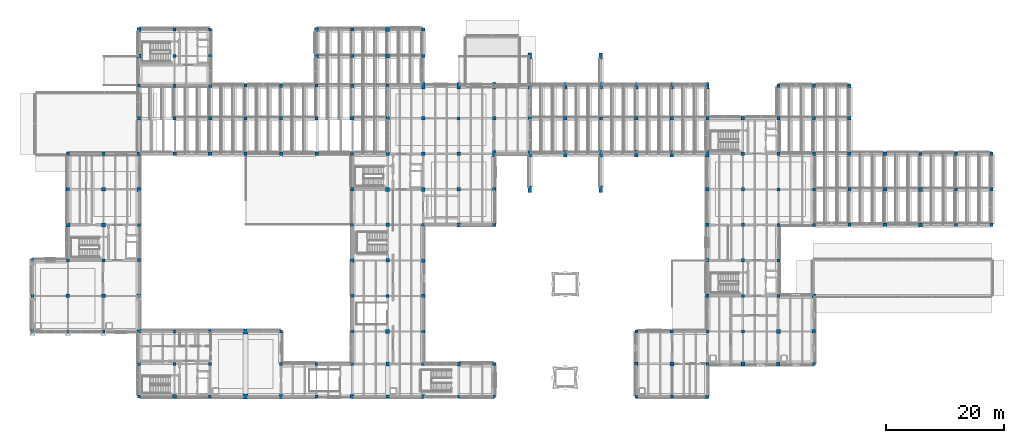
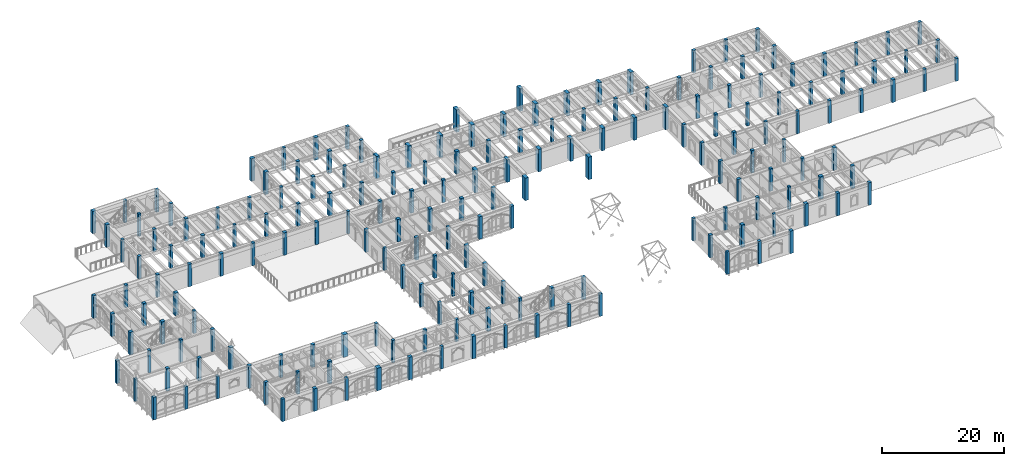
# One storey, part 1 of 127: 188 columns.
"""IFC4 building model written with IfcOpenShell, lengths in metres."""

from ifc_helpers import new_model, si_unit, direction, frame, origin, origin_2d, place, context, subcontext, project, spatial, rectangle, extrude, material, material_profile, profile_set, type_object, element, save


model = new_model("IFC4")

# Units and contexts
model_context = context("Model", 3, precision=1e-05, world=origin(), true_north=direction((0.0, 1.0)))
body_context = subcontext(model_context, "Body", "Model", "MODEL_VIEW")
ifc_project = project(units=[si_unit("LENGTHUNIT", "METRE"), si_unit("AREAUNIT", "SQUARE_METRE"), si_unit("VOLUMEUNIT", "CUBIC_METRE"), si_unit("PLANEANGLEUNIT", "RADIAN"), si_unit("MASSUNIT", "GRAM", prefix="KILO")], contexts=[model_context])

# Site, building, storey
site_placement = place(None, origin())
site = spatial("IfcSite", under=ifc_project, at=site_placement, CompositionType="ELEMENT")
building_placement = place(site_placement, origin())
building = spatial("IfcBuilding", under=site, at=building_placement, Name="Cumevento Cable Car Station", CompositionType="ELEMENT")
storey_placement = place(building_placement, frame((0.0, 0.0, 4.5)))
storey = spatial("IfcBuildingStorey", under=building, at=storey_placement, Name="L02", CompositionType="ELEMENT", Elevation=4.5)

# Columns
ifc_material_1 = material(Name="Concrete C40/50", Category="concrete")
ifc_material_profile_1 = material_profile(ifc_material_1, rectangle(XDim=0.60009765625, YDim=1.050048828125, at=origin_2d()), Name="RC600x1050")
ifc_profile_set_1 = profile_set([ifc_material_profile_1], Name="Concrete C40/50")
column_type_1 = type_object("IfcColumnType", Name="Buttress Pilaster P-BT1050 RC600x1050", PredefinedType="PILASTER", material=ifc_profile_set_1)
for number, where, z_axis, x_axis, name in (
    (1, (70.0, 56.5, 0.0), (0.0, 0.0, 1.0), (1.0, 0.0, 0.0), "Column P-BT1050 L02 (70.0,56.5)"),
    (2, (76.0, 56.5, 0.0), (0.0, 0.0, 1.0), (1.0, 0.0, 0.0), "Column P-BT1050 L02 (76.0,56.5)"),
    (3, (82.0, 45.0, 0.0), (0.0, 0.0, 1.0), (1.0, 0.0, 0.0), "Column P-BT1050 L02 (82.0,45.0)"),
    (4, (82.0, 56.5, 0.0), (0.0, 0.0, 1.0), (1.0, 0.0, 0.0), "Column P-BT1050 L02 (82.0,56.5)"),
    (5, (88.0, 45.0, 0.0), (0.0, 0.0, 1.0), (1.0, 0.0, 0.0), "Column P-BT1050 L02 (88.0,45.0)"),
    (6, (88.0, 56.5, 0.0), (0.0, 0.0, 1.0), (1.0, 0.0, 0.0), "Column P-BT1050 L02 (88.0,56.5)"),
    (7, (94.0, 45.0, 0.0), (0.0, 0.0, 1.0), (1.0, 0.0, 0.0), "Column P-BT1050 L02 (94.0,45.0)"),
    (8, (94.0, 56.5, 0.0), (0.0, 0.0, 1.0), (1.0, 0.0, 0.0), "Column P-BT1050 L02 (94.0,56.5)"),
    (9, (100.0, 45.0, 0.0), (0.0, 0.0, 1.0), (1.0, 0.0, 0.0), "Column P-BT1050 L02 (100.0,45.0)"),
    (10, (100.0, 56.5, 0.0), (0.0, 0.0, 1.0), (1.0, 0.0, 0.0), "Column P-BT1050 L02 (100.0,56.5)"),
    (11, (106.0, 45.0, 0.0), (0.0, 0.0, 1.0), (1.0, 0.0, 0.0), "Column P-BT1050 L02 (106.0,45.0)"),
    (12, (106.0, 56.5, 0.0), (0.0, 0.0, 1.0), (1.0, 0.0, 0.0), "Column P-BT1050 L02 (106.0,56.5)"),
    (13, (112.0, 45.0, 0.0), (0.0, 0.0, 1.0), (1.0, 0.0, 0.0), "Column P-BT1050 L02 (112.0,45.0)"),
    (14, (112.0, 56.5, 0.0), (0.0, 0.0, 1.0), (1.0, 0.0, 0.0), "Column P-BT1050 L02 (112.0,56.5)"),
    (15, (118.0, 45.0, 0.0), (0.0, 0.0, 1.0), (1.0, 0.0, 0.0), "Column P-BT1050 L02 (118.0,45.0)"),
    (16, (118.0, 56.5, 0.0), (0.0, 0.0, 1.0), (1.0, 0.0, 0.0), "Column P-BT1050 L02 (118.0,56.5)"),
    (17, (88.0, 61.5, 0.0), (0.0, 0.0, 1.0), (1.0, 0.0, 0.0), "Portal/Terrace Column P-BT1050 L02 (88.0,61.5)"),
    (18, (100.0, 61.5, 0.0), (0.0, 0.0, 1.0), (1.0, 0.0, 0.0), "Portal/Terrace Column P-BT1050 L02 (100.0,61.5)"),
    (19, (88.0, 39.0, 0.0), (0.0, 0.0, 1.0), (1.0, 0.0, 0.0), "Portal/Terrace Column P-BT1050 L02 (88.0,39.0)"),
    (20, (100.0, 39.0, 0.0), (0.0, 0.0, 1.0), (1.0, 0.0, 0.0), "Portal/Terrace Column P-BT1050 L02 (100.0,39.0)"),
):
    element("IfcColumn", number, at=place(storey_placement, frame(where, z_axis=z_axis, x_axis=x_axis)), inside=storey, type_object=column_type_1, Name=name, PredefinedType="PILASTER", context=body_context, shape_type="SweptSolid", body=[
        extrude(rectangle(XDim=0.60009765625, YDim=1.050048828125, at=origin_2d()), origin(), (0.0, 0.0, 1.0), 4.5),
    ])
ifc_material_2 = material(Name="Concrete C40/50", Category="concrete")
ifc_material_profile_2 = material_profile(ifc_material_2, rectangle(XDim=0.5, YDim=0.5, at=origin_2d()), Name="RC500x500")
ifc_profile_set_2 = profile_set([ifc_material_profile_2], Name="Concrete C40/50")
column_type_2 = type_object("IfcColumnType", Name="Column C-RC500 RC500x500", PredefinedType="COLUMN", material=ifc_profile_set_2)
for number, where, z_axis, x_axis, name in (
    (21, (4.0, 21.0, 0.0), (0.0, 0.0, 1.0), (1.0, 0.0, 0.0), "Column C-RC500 L02 (4.0,21.0)"),
    (22, (10.0, 15.0, 0.0), (0.0, 0.0, 1.0), (1.0, 0.0, 0.0), "Column C-RC500 L02 (10.0,15.0)"),
    (23, (10.0, 27.0, 0.0), (0.0, 0.0, 1.0), (1.0, 0.0, 0.0), "Column C-RC500 L02 (10.0,27.0)"),
    (24, (16.0, 15.0, 0.0), (0.0, 0.0, 1.0), (1.0, 0.0, 0.0), "Column C-RC500 L02 (16.0,15.0)"),
    (25, (16.0, 27.0, 0.0), (0.0, 0.0, 1.0), (1.0, 0.0, 0.0), "Column C-RC500 L02 (16.0,27.0)"),
    (26, (22.0, 4.0, 0.0), (0.0, 0.0, 1.0), (1.0, 0.0, 0.0), "Column C-RC500 L02 (22.0,4.0)"),
    (27, (22.0, 33.0, 0.0), (0.0, 0.0, 1.0), (1.0, 0.0, 0.0), "Column C-RC500 L02 (22.0,33.0)"),
    (28, (22.0, 56.5, 0.0), (0.0, 0.0, 1.0), (1.0, 0.0, 0.0), "Column C-RC500 L02 (22.0,56.5)"),
    (29, (28.0, 9.5, 0.0), (0.0, 0.0, 1.0), (1.0, 0.0, 0.0), "Column C-RC500 L02 (28.0,9.5)"),
    (30, (28.0, 61.5, 0.0), (0.0, 0.0, 1.0), (1.0, 0.0, 0.0), "Column C-RC500 L02 (28.0,61.5)"),
    (31, (28.0, 66.0, 0.0), (0.0, 0.0, 1.0), (1.0, 0.0, 0.0), "Column C-RC500 L02 (28.0,66.0)"),
    (32, (34.0, 4.0, 0.0), (0.0, 0.0, 1.0), (1.0, 0.0, 0.0), "Column C-RC500 L02 (34.0,4.0)"),
    (33, (40.0, 51.0, 0.0), (0.0, 0.0, 1.0), (1.0, 0.0, 0.0), "Column C-RC500 L02 (40.0,51.0)"),
    (34, (40.0, 56.5, 0.0), (0.0, 0.0, 1.0), (1.0, 0.0, 0.0), "Column C-RC500 L02 (40.0,56.5)"),
    (35, (46.0, 9.5, 0.0), (0.0, 0.0, 1.0), (1.0, 0.0, 0.0), "Column C-RC500 L02 (46.0,9.5)"),
    (36, (52.0, 4.0, 0.0), (0.0, 0.0, 1.0), (1.0, 0.0, 0.0), "Column C-RC500 L02 (52.0,4.0)"),
    (37, (52.0, 56.5, 0.0), (0.0, 0.0, 1.0), (1.0, 0.0, 0.0), "Column C-RC500 L02 (52.0,56.5)"),
    (38, (58.0, 9.5, 0.0), (0.0, 0.0, 1.0), (1.0, 0.0, 0.0), "Column C-RC500 L02 (58.0,9.5)"),
    (39, (58.0, 33.0, 0.0), (0.0, 0.0, 1.0), (1.0, 0.0, 0.0), "Column C-RC500 L02 (58.0,33.0)"),
    (40, (58.0, 45.0, 0.0), (0.0, 0.0, 1.0), (1.0, 0.0, 0.0), "Column C-RC500 L02 (58.0,45.0)"),
    (41, (64.0, 21.0, 0.0), (0.0, 0.0, 1.0), (1.0, 0.0, 0.0), "Column C-RC500 L02 (64.0,21.0)"),
    (42, (64.0, 56.5, 0.0), (0.0, 0.0, 1.0), (1.0, 0.0, 0.0), "Column C-RC500 L02 (64.0,56.5)"),
    (43, (70.0, 9.5, 0.0), (0.0, 0.0, 1.0), (1.0, 0.0, 0.0), "Column C-RC500 L02 (70.0,9.5)"),
    (44, (70.0, 33.0, 0.0), (0.0, 0.0, 1.0), (1.0, 0.0, 0.0), "Column C-RC500 L02 (70.0,33.0)"),
    (45, (76.0, 51.0, 0.0), (0.0, 0.0, 1.0), (1.0, 0.0, 0.0), "Column C-RC500 L02 (76.0,51.0)"),
    (46, (82.0, 4.0, 0.0), (0.0, 0.0, 1.0), (1.0, 0.0, 0.0), "Column C-RC500 L02 (82.0,4.0)"),
    (47, (100.0, 51.0, 0.0), (0.0, 0.0, 1.0), (1.0, 0.0, 0.0), "Column C-RC500 L02 (100.0,51.0)"),
    (48, (106.0, 4.0, 0.0), (0.0, 0.0, 1.0), (1.0, 0.0, 0.0), "Column C-RC500 L02 (106.0,4.0)"),
    (49, (106.0, 15.0, 0.0), (0.0, 0.0, 1.0), (1.0, 0.0, 0.0), "Column C-RC500 L02 (106.0,15.0)"),
    (50, (118.0, 9.5, 0.0), (0.0, 0.0, 1.0), (1.0, 0.0, 0.0), "Column C-RC500 L02 (118.0,9.5)"),
    (51, (124.0, 15.0, 0.0), (0.0, 0.0, 1.0), (1.0, 0.0, 0.0), "Column C-RC500 L02 (124.0,15.0)"),
    (52, (130.0, 21.0, 0.0), (0.0, 0.0, 1.0), (1.0, 0.0, 0.0), "Column C-RC500 L02 (130.0,21.0)"),
    (53, (130.0, 27.0, 0.0), (0.0, 0.0, 1.0), (1.0, 0.0, 0.0), "Column C-RC500 L02 (130.0,27.0)"),
    (54, (130.0, 33.0, 0.0), (0.0, 0.0, 1.0), (1.0, 0.0, 0.0), "Column C-RC500 L02 (130.0,33.0)"),
    (55, (130.0, 39.0, 0.0), (0.0, 0.0, 1.0), (1.0, 0.0, 0.0), "Column C-RC500 L02 (130.0,39.0)"),
    (56, (136.0, 33.0, 0.0), (0.0, 0.0, 1.0), (1.0, 0.0, 0.0), "Column C-RC500 L02 (136.0,33.0)"),
    (57, (136.0, 39.0, 0.0), (0.0, 0.0, 1.0), (1.0, 0.0, 0.0), "Column C-RC500 L02 (136.0,39.0)"),
    (58, (154.0, 45.0, 0.0), (0.0, 0.0, 1.0), (1.0, 0.0, 0.0), "Column C-RC500 L02 (154.0,45.0)"),
    (59, (160.0, 33.0, 0.0), (0.0, 0.0, 1.0), (1.0, 0.0, 0.0), "Column C-RC500 L02 (160.0,33.0)"),
    (60, (160.0, 39.0, 0.0), (0.0, 0.0, 1.0), (1.0, 0.0, 0.0), "Column C-RC500 L02 (160.0,39.0)"),
):
    element("IfcColumn", number, at=place(storey_placement, frame(where, z_axis=z_axis, x_axis=x_axis)), inside=storey, type_object=column_type_2, Name=name, PredefinedType="COLUMN", context=body_context, shape_type="SweptSolid", body=[
        extrude(rectangle(XDim=0.5, YDim=0.5, at=origin_2d()), origin(), (0.0, 0.0, 1.0), 4.5),
    ])
ifc_material_3 = material(Name="Concrete C40/50", Category="concrete")
ifc_material_profile_3 = material_profile(ifc_material_3, rectangle(XDim=0.550048828125, YDim=0.550048828125, at=origin_2d()), Name="RC550x550")
ifc_profile_set_3 = profile_set([ifc_material_profile_3], Name="Concrete C40/50")
column_type_3 = type_object("IfcColumnType", Name="Column C-RC550 RC550x550", PredefinedType="COLUMN", material=ifc_profile_set_3)
for number, where, z_axis, x_axis, name in (
    (61, (10.0, 45.0, 0.0), (0.0, 0.0, 1.0), (1.0, 0.0, 0.0), "Column C-RC550 L02 (10.0,45.0)"),
    (62, (16.0, 45.0, 0.0), (0.0, 0.0, 1.0), (1.0, 0.0, 0.0), "Column C-RC550 L02 (16.0,45.0)"),
    (63, (22.0, 9.5, 0.0), (0.0, 0.0, 1.0), (1.0, 0.0, 0.0), "Column C-RC550 L02 (22.0,9.5)"),
    (64, (22.0, 27.0, 0.0), (0.0, 0.0, 1.0), (1.0, 0.0, 0.0), "Column C-RC550 L02 (22.0,27.0)"),
    (65, (22.0, 51.0, 0.0), (0.0, 0.0, 1.0), (1.0, 0.0, 0.0), "Column C-RC550 L02 (22.0,51.0)"),
    (66, (28.0, 15.0, 0.0), (0.0, 0.0, 1.0), (1.0, 0.0, 0.0), "Column C-RC550 L02 (28.0,15.0)"),
    (67, (28.0, 51.0, 0.0), (0.0, 0.0, 1.0), (1.0, 0.0, 0.0), "Column C-RC550 L02 (28.0,51.0)"),
    (68, (28.0, 56.5, 0.0), (0.0, 0.0, 1.0), (1.0, 0.0, 0.0), "Column C-RC550 L02 (28.0,56.5)"),
    (69, (34.0, 9.5, 0.0), (0.0, 0.0, 1.0), (1.0, 0.0, 0.0), "Column C-RC550 L02 (34.0,9.5)"),
    (70, (34.0, 61.5, 0.0), (0.0, 0.0, 1.0), (1.0, 0.0, 0.0), "Column C-RC550 L02 (34.0,61.5)"),
    (71, (34.0, 66.0, 0.0), (0.0, 0.0, 1.0), (1.0, 0.0, 0.0), "Column C-RC550 L02 (34.0,66.0)"),
    (72, (40.0, 45.0, 0.0), (0.0, 0.0, 1.0), (1.0, 0.0, 0.0), "Column C-RC550 L02 (40.0,45.0)"),
    (73, (46.0, 15.0, 0.0), (0.0, 0.0, 1.0), (1.0, 0.0, 0.0), "Column C-RC550 L02 (46.0,15.0)"),
    (74, (46.0, 51.0, 0.0), (0.0, 0.0, 1.0), (1.0, 0.0, 0.0), "Column C-RC550 L02 (46.0,51.0)"),
    (75, (46.0, 56.5, 0.0), (0.0, 0.0, 1.0), (1.0, 0.0, 0.0), "Column C-RC550 L02 (46.0,56.5)"),
    (76, (52.0, 9.5, 0.0), (0.0, 0.0, 1.0), (1.0, 0.0, 0.0), "Column C-RC550 L02 (52.0,9.5)"),
    (77, (52.0, 51.0, 0.0), (0.0, 0.0, 1.0), (1.0, 0.0, 0.0), "Column C-RC550 L02 (52.0,51.0)"),
    (78, (58.0, 15.0, 0.0), (0.0, 0.0, 1.0), (1.0, 0.0, 0.0), "Column C-RC550 L02 (58.0,15.0)"),
    (79, (58.0, 39.0, 0.0), (0.0, 0.0, 1.0), (1.0, 0.0, 0.0), "Column C-RC550 L02 (58.0,39.0)"),
    (80, (58.0, 61.5, 0.0), (0.0, 0.0, 1.0), (1.0, 0.0, 0.0), "Column C-RC550 L02 (58.0,61.5)"),
    (81, (58.0, 66.0, 0.0), (0.0, 0.0, 1.0), (1.0, 0.0, 0.0), "Column C-RC550 L02 (58.0,66.0)"),
    (82, (64.0, 4.0, 0.0), (0.0, 0.0, 1.0), (1.0, 0.0, 0.0), "Column C-RC550 L02 (64.0,4.0)"),
    (83, (64.0, 27.0, 0.0), (0.0, 0.0, 1.0), (1.0, 0.0, 0.0), "Column C-RC550 L02 (64.0,27.0)"),
    (84, (64.0, 51.0, 0.0), (0.0, 0.0, 1.0), (1.0, 0.0, 0.0), "Column C-RC550 L02 (64.0,51.0)"),
    (85, (70.0, 15.0, 0.0), (0.0, 0.0, 1.0), (1.0, 0.0, 0.0), "Column C-RC550 L02 (70.0,15.0)"),
    (86, (70.0, 51.0, 0.0), (0.0, 0.0, 1.0), (1.0, 0.0, 0.0), "Column C-RC550 L02 (70.0,51.0)"),
    (87, (70.0, 61.5, 0.0), (0.0, 0.0, 1.0), (1.0, 0.0, 0.0), "Column C-RC550 L02 (70.0,61.5)"),
    (88, (70.0, 66.0, 0.0), (0.0, 0.0, 1.0), (1.0, 0.0, 0.0), "Column C-RC550 L02 (70.0,66.0)"),
    (89, (76.0, 4.0, 0.0), (0.0, 0.0, 1.0), (1.0, 0.0, 0.0), "Column C-RC550 L02 (76.0,4.0)"),
    (90, (76.0, 45.0, 0.0), (0.0, 0.0, 1.0), (1.0, 0.0, 0.0), "Column C-RC550 L02 (76.0,45.0)"),
    (91, (82.0, 9.5, 0.0), (0.0, 0.0, 1.0), (1.0, 0.0, 0.0), "Column C-RC550 L02 (82.0,9.5)"),
    (92, (82.0, 39.0, 0.0), (0.0, 0.0, 1.0), (1.0, 0.0, 0.0), "Column C-RC550 L02 (82.0,39.0)"),
    (93, (106.0, 51.0, 0.0), (0.0, 0.0, 1.0), (1.0, 0.0, 0.0), "Column C-RC550 L02 (106.0,51.0)"),
    (94, (112.0, 4.0, 0.0), (0.0, 0.0, 1.0), (1.0, 0.0, 0.0), "Column C-RC550 L02 (112.0,4.0)"),
    (95, (112.0, 15.0, 0.0), (0.0, 0.0, 1.0), (1.0, 0.0, 0.0), "Column C-RC550 L02 (112.0,15.0)"),
    (96, (118.0, 15.0, 0.0), (0.0, 0.0, 1.0), (1.0, 0.0, 0.0), "Column C-RC550 L02 (118.0,15.0)"),
    (97, (118.0, 51.0, 0.0), (0.0, 0.0, 1.0), (1.0, 0.0, 0.0), "Column C-RC550 L02 (118.0,51.0)"),
    (98, (124.0, 21.0, 0.0), (0.0, 0.0, 1.0), (1.0, 0.0, 0.0), "Column C-RC550 L02 (124.0,21.0)"),
    (99, (124.0, 27.0, 0.0), (0.0, 0.0, 1.0), (1.0, 0.0, 0.0), "Column C-RC550 L02 (124.0,27.0)"),
    (100, (124.0, 33.0, 0.0), (0.0, 0.0, 1.0), (1.0, 0.0, 0.0), "Column C-RC550 L02 (124.0,33.0)"),
    (101, (124.0, 39.0, 0.0), (0.0, 0.0, 1.0), (1.0, 0.0, 0.0), "Column C-RC550 L02 (124.0,39.0)"),
    (102, (130.0, 45.0, 0.0), (0.0, 0.0, 1.0), (1.0, 0.0, 0.0), "Column C-RC550 L02 (130.0,45.0)"),
    (103, (130.0, 51.0, 0.0), (0.0, 0.0, 1.0), (1.0, 0.0, 0.0), "Column C-RC550 L02 (130.0,51.0)"),
    (104, (130.0, 56.5, 0.0), (0.0, 0.0, 1.0), (1.0, 0.0, 0.0), "Column C-RC550 L02 (130.0,56.5)"),
    (105, (136.0, 9.5, 0.0), (0.0, 0.0, 1.0), (1.0, 0.0, 0.0), "Column C-RC550 L02 (136.0,9.5)"),
    (106, (136.0, 45.0, 0.0), (0.0, 0.0, 1.0), (1.0, 0.0, 0.0), "Column C-RC550 L02 (136.0,45.0)"),
    (107, (136.0, 51.0, 0.0), (0.0, 0.0, 1.0), (1.0, 0.0, 0.0), "Column C-RC550 L02 (136.0,51.0)"),
    (108, (136.0, 56.5, 0.0), (0.0, 0.0, 1.0), (1.0, 0.0, 0.0), "Column C-RC550 L02 (136.0,56.5)"),
    (109, (142.0, 33.0, 0.0), (0.0, 0.0, 1.0), (1.0, 0.0, 0.0), "Column C-RC550 L02 (142.0,33.0)"),
    (110, (142.0, 39.0, 0.0), (0.0, 0.0, 1.0), (1.0, 0.0, 0.0), "Column C-RC550 L02 (142.0,39.0)"),
    (111, (160.0, 45.0, 0.0), (0.0, 0.0, 1.0), (1.0, 0.0, 0.0), "Column C-RC550 L02 (160.0,45.0)"),
    (112, (166.0, 33.0, 0.0), (0.0, 0.0, 1.0), (1.0, 0.0, 0.0), "Column C-RC550 L02 (166.0,33.0)"),
    (113, (166.0, 39.0, 0.0), (0.0, 0.0, 1.0), (1.0, 0.0, 0.0), "Column C-RC550 L02 (166.0,39.0)"),
    (114, (166.0, 45.0, 0.0), (0.0, 0.0, 1.0), (1.0, 0.0, 0.0), "Column C-RC550 L02 (166.0,45.0)"),
):
    element("IfcColumn", number, at=place(storey_placement, frame(where, z_axis=z_axis, x_axis=x_axis)), inside=storey, type_object=column_type_3, Name=name, PredefinedType="COLUMN", context=body_context, shape_type="SweptSolid", body=[
        extrude(rectangle(XDim=0.550048828125, YDim=0.550048828125, at=origin_2d()), origin(), (0.0, 0.0, 1.0), 4.5),
    ])
ifc_material_4 = material(Name="Concrete C40/50", Category="concrete")
ifc_material_profile_4 = material_profile(ifc_material_4, rectangle(XDim=0.60009765625, YDim=0.60009765625, at=origin_2d()), Name="RC600x600")
ifc_profile_set_4 = profile_set([ifc_material_profile_4], Name="Concrete C40/50")
column_type_4 = type_object("IfcColumnType", Name="Column C-RC600 RC600x600", PredefinedType="COLUMN", material=ifc_profile_set_4)
for number, where, z_axis, x_axis, name in (
    (115, (4.0, 15.0, 0.0), (0.0, 0.0, 1.0), (1.0, 0.0, 0.0), "Column C-RC600 L02 (4.0,15.0)"),
    (116, (4.0, 27.0, 0.0), (0.0, 0.0, 1.0), (1.0, 0.0, 0.0), "Column C-RC600 L02 (4.0,27.0)"),
    (117, (10.0, 21.0, 0.0), (0.0, 0.0, 1.0), (1.0, 0.0, 0.0), "Column C-RC600 L02 (10.0,21.0)"),
    (118, (10.0, 39.0, 0.0), (0.0, 0.0, 1.0), (1.0, 0.0, 0.0), "Column C-RC600 L02 (10.0,39.0)"),
    (119, (16.0, 21.0, 0.0), (0.0, 0.0, 1.0), (1.0, 0.0, 0.0), "Column C-RC600 L02 (16.0,21.0)"),
    (120, (16.0, 39.0, 0.0), (0.0, 0.0, 1.0), (1.0, 0.0, 0.0), "Column C-RC600 L02 (16.0,39.0)"),
    (121, (22.0, 15.0, 0.0), (0.0, 0.0, 1.0), (1.0, 0.0, 0.0), "Column C-RC600 L02 (22.0,15.0)"),
    (122, (22.0, 45.0, 0.0), (0.0, 0.0, 1.0), (1.0, 0.0, 0.0), "Column C-RC600 L02 (22.0,45.0)"),
    (123, (28.0, 45.0, 0.0), (0.0, 0.0, 1.0), (1.0, 0.0, 0.0), "Column C-RC600 L02 (28.0,45.0)"),
    (124, (34.0, 15.0, 0.0), (0.0, 0.0, 1.0), (1.0, 0.0, 0.0), "Column C-RC600 L02 (34.0,15.0)"),
    (125, (34.0, 51.0, 0.0), (0.0, 0.0, 1.0), (1.0, 0.0, 0.0), "Column C-RC600 L02 (34.0,51.0)"),
    (126, (34.0, 56.5, 0.0), (0.0, 0.0, 1.0), (1.0, 0.0, 0.0), "Column C-RC600 L02 (34.0,56.5)"),
    (127, (46.0, 45.0, 0.0), (0.0, 0.0, 1.0), (1.0, 0.0, 0.0), "Column C-RC600 L02 (46.0,45.0)"),
    (128, (52.0, 45.0, 0.0), (0.0, 0.0, 1.0), (1.0, 0.0, 0.0), "Column C-RC600 L02 (52.0,45.0)"),
    (129, (58.0, 21.0, 0.0), (0.0, 0.0, 1.0), (1.0, 0.0, 0.0), "Column C-RC600 L02 (58.0,21.0)"),
    (130, (58.0, 56.5, 0.0), (0.0, 0.0, 1.0), (1.0, 0.0, 0.0), "Column C-RC600 L02 (58.0,56.5)"),
    (131, (64.0, 9.5, 0.0), (0.0, 0.0, 1.0), (1.0, 0.0, 0.0), "Column C-RC600 L02 (64.0,9.5)"),
    (132, (64.0, 33.0, 0.0), (0.0, 0.0, 1.0), (1.0, 0.0, 0.0), "Column C-RC600 L02 (64.0,33.0)"),
    (133, (64.0, 45.0, 0.0), (0.0, 0.0, 1.0), (1.0, 0.0, 0.0), "Column C-RC600 L02 (64.0,45.0)"),
    (134, (70.0, 21.0, 0.0), (0.0, 0.0, 1.0), (1.0, 0.0, 0.0), "Column C-RC600 L02 (70.0,21.0)"),
    (135, (70.0, 45.0, 0.0), (0.0, 0.0, 1.0), (1.0, 0.0, 0.0), "Column C-RC600 L02 (70.0,45.0)"),
    (136, (76.0, 9.5, 0.0), (0.0, 0.0, 1.0), (1.0, 0.0, 0.0), "Column C-RC600 L02 (76.0,9.5)"),
    (137, (76.0, 39.0, 0.0), (0.0, 0.0, 1.0), (1.0, 0.0, 0.0), "Column C-RC600 L02 (76.0,39.0)"),
    (138, (82.0, 33.0, 0.0), (0.0, 0.0, 1.0), (1.0, 0.0, 0.0), "Column C-RC600 L02 (82.0,33.0)"),
    (139, (88.0, 51.0, 0.0), (0.0, 0.0, 1.0), (1.0, 0.0, 0.0), "Column C-RC600 L02 (88.0,51.0)"),
    (140, (106.0, 9.5, 0.0), (0.0, 0.0, 1.0), (1.0, 0.0, 0.0), "Column C-RC600 L02 (106.0,9.5)"),
    (141, (112.0, 51.0, 0.0), (0.0, 0.0, 1.0), (1.0, 0.0, 0.0), "Column C-RC600 L02 (112.0,51.0)"),
    (142, (118.0, 4.0, 0.0), (0.0, 0.0, 1.0), (1.0, 0.0, 0.0), "Column C-RC600 L02 (118.0,4.0)"),
    (143, (118.0, 21.0, 0.0), (0.0, 0.0, 1.0), (1.0, 0.0, 0.0), "Column C-RC600 L02 (118.0,21.0)"),
    (144, (118.0, 27.0, 0.0), (0.0, 0.0, 1.0), (1.0, 0.0, 0.0), "Column C-RC600 L02 (118.0,27.0)"),
    (145, (118.0, 33.0, 0.0), (0.0, 0.0, 1.0), (1.0, 0.0, 0.0), "Column C-RC600 L02 (118.0,33.0)"),
    (146, (118.0, 39.0, 0.0), (0.0, 0.0, 1.0), (1.0, 0.0, 0.0), "Column C-RC600 L02 (118.0,39.0)"),
    (147, (124.0, 45.0, 0.0), (0.0, 0.0, 1.0), (1.0, 0.0, 0.0), "Column C-RC600 L02 (124.0,45.0)"),
    (148, (124.0, 51.0, 0.0), (0.0, 0.0, 1.0), (1.0, 0.0, 0.0), "Column C-RC600 L02 (124.0,51.0)"),
    (149, (130.0, 9.5, 0.0), (0.0, 0.0, 1.0), (1.0, 0.0, 0.0), "Column C-RC600 L02 (130.0,9.5)"),
    (150, (136.0, 15.0, 0.0), (0.0, 0.0, 1.0), (1.0, 0.0, 0.0), "Column C-RC600 L02 (136.0,15.0)"),
    (151, (142.0, 45.0, 0.0), (0.0, 0.0, 1.0), (1.0, 0.0, 0.0), "Column C-RC600 L02 (142.0,45.0)"),
    (152, (142.0, 51.0, 0.0), (0.0, 0.0, 1.0), (1.0, 0.0, 0.0), "Column C-RC600 L02 (142.0,51.0)"),
    (153, (142.0, 56.5, 0.0), (0.0, 0.0, 1.0), (1.0, 0.0, 0.0), "Column C-RC600 L02 (142.0,56.5)"),
    (154, (148.0, 33.0, 0.0), (0.0, 0.0, 1.0), (1.0, 0.0, 0.0), "Column C-RC600 L02 (148.0,33.0)"),
    (155, (148.0, 39.0, 0.0), (0.0, 0.0, 1.0), (1.0, 0.0, 0.0), "Column C-RC600 L02 (148.0,39.0)"),
):
    element("IfcColumn", number, at=place(storey_placement, frame(where, z_axis=z_axis, x_axis=x_axis)), inside=storey, type_object=column_type_4, Name=name, PredefinedType="COLUMN", context=body_context, shape_type="SweptSolid", body=[
        extrude(rectangle(XDim=0.60009765625, YDim=0.60009765625, at=origin_2d()), origin(), (0.0, 0.0, 1.0), 4.5),
    ])
ifc_material_5 = material(Name="Concrete C40/50", Category="concrete")
ifc_material_profile_5 = material_profile(ifc_material_5, rectangle(XDim=0.64990234375, YDim=0.64990234375, at=origin_2d()), Name="RC650x650")
ifc_profile_set_5 = profile_set([ifc_material_profile_5], Name="Concrete C40/50")
column_type_5 = type_object("IfcColumnType", Name="Column C-RC650 RC650x650", PredefinedType="COLUMN", material=ifc_profile_set_5)
for number, where, z_axis, x_axis, name in (
    (156, (10.0, 33.0, 0.0), (0.0, 0.0, 1.0), (1.0, 0.0, 0.0), "Column C-RC650 L02 (10.0,33.0)"),
    (157, (16.0, 33.0, 0.0), (0.0, 0.0, 1.0), (1.0, 0.0, 0.0), "Column C-RC650 L02 (16.0,33.0)"),
    (158, (22.0, 21.0, 0.0), (0.0, 0.0, 1.0), (1.0, 0.0, 0.0), "Column C-RC650 L02 (22.0,21.0)"),
    (159, (22.0, 39.0, 0.0), (0.0, 0.0, 1.0), (1.0, 0.0, 0.0), "Column C-RC650 L02 (22.0,39.0)"),
    (160, (22.0, 61.5, 0.0), (0.0, 0.0, 1.0), (1.0, 0.0, 0.0), "Column C-RC650 L02 (22.0,61.5)"),
    (161, (22.0, 66.0, 0.0), (0.0, 0.0, 1.0), (1.0, 0.0, 0.0), "Column C-RC650 L02 (22.0,66.0)"),
    (162, (28.0, 4.0, 0.0), (0.0, 0.0, 1.0), (1.0, 0.0, 0.0), "Column C-RC650 L02 (28.0,4.0)"),
    (163, (34.0, 45.0, 0.0), (0.0, 0.0, 1.0), (1.0, 0.0, 0.0), "Column C-RC650 L02 (34.0,45.0)"),
    (164, (46.0, 4.0, 0.0), (0.0, 0.0, 1.0), (1.0, 0.0, 0.0), "Column C-RC650 L02 (46.0,4.0)"),
    (165, (52.0, 61.5, 0.0), (0.0, 0.0, 1.0), (1.0, 0.0, 0.0), "Column C-RC650 L02 (52.0,61.5)"),
    (166, (52.0, 66.0, 0.0), (0.0, 0.0, 1.0), (1.0, 0.0, 0.0), "Column C-RC650 L02 (52.0,66.0)"),
    (167, (58.0, 4.0, 0.0), (0.0, 0.0, 1.0), (1.0, 0.0, 0.0), "Column C-RC650 L02 (58.0,4.0)"),
    (168, (58.0, 27.0, 0.0), (0.0, 0.0, 1.0), (1.0, 0.0, 0.0), "Column C-RC650 L02 (58.0,27.0)"),
    (169, (58.0, 51.0, 0.0), (0.0, 0.0, 1.0), (1.0, 0.0, 0.0), "Column C-RC650 L02 (58.0,51.0)"),
    (170, (64.0, 15.0, 0.0), (0.0, 0.0, 1.0), (1.0, 0.0, 0.0), "Column C-RC650 L02 (64.0,15.0)"),
    (171, (64.0, 39.0, 0.0), (0.0, 0.0, 1.0), (1.0, 0.0, 0.0), "Column C-RC650 L02 (64.0,39.0)"),
    (172, (64.0, 61.5, 0.0), (0.0, 0.0, 1.0), (1.0, 0.0, 0.0), "Column C-RC650 L02 (64.0,61.5)"),
    (173, (64.0, 66.0, 0.0), (0.0, 0.0, 1.0), (1.0, 0.0, 0.0), "Column C-RC650 L02 (64.0,66.0)"),
    (174, (70.0, 4.0, 0.0), (0.0, 0.0, 1.0), (1.0, 0.0, 0.0), "Column C-RC650 L02 (70.0,4.0)"),
    (175, (70.0, 27.0, 0.0), (0.0, 0.0, 1.0), (1.0, 0.0, 0.0), "Column C-RC650 L02 (70.0,27.0)"),
    (176, (70.0, 39.0, 0.0), (0.0, 0.0, 1.0), (1.0, 0.0, 0.0), "Column C-RC650 L02 (70.0,39.0)"),
    (177, (76.0, 33.0, 0.0), (0.0, 0.0, 1.0), (1.0, 0.0, 0.0), "Column C-RC650 L02 (76.0,33.0)"),
    (178, (82.0, 51.0, 0.0), (0.0, 0.0, 1.0), (1.0, 0.0, 0.0), "Column C-RC650 L02 (82.0,51.0)"),
    (179, (94.0, 51.0, 0.0), (0.0, 0.0, 1.0), (1.0, 0.0, 0.0), "Column C-RC650 L02 (94.0,51.0)"),
    (180, (112.0, 9.5, 0.0), (0.0, 0.0, 1.0), (1.0, 0.0, 0.0), "Column C-RC650 L02 (112.0,9.5)"),
    (181, (124.0, 9.5, 0.0), (0.0, 0.0, 1.0), (1.0, 0.0, 0.0), "Column C-RC650 L02 (124.0,9.5)"),
    (182, (130.0, 15.0, 0.0), (0.0, 0.0, 1.0), (1.0, 0.0, 0.0), "Column C-RC650 L02 (130.0,15.0)"),
    (183, (136.0, 21.0, 0.0), (0.0, 0.0, 1.0), (1.0, 0.0, 0.0), "Column C-RC650 L02 (136.0,21.0)"),
    (184, (148.0, 45.0, 0.0), (0.0, 0.0, 1.0), (1.0, 0.0, 0.0), "Column C-RC650 L02 (148.0,45.0)"),
    (185, (154.0, 33.0, 0.0), (0.0, 0.0, 1.0), (1.0, 0.0, 0.0), "Column C-RC650 L02 (154.0,33.0)"),
    (186, (154.0, 39.0, 0.0), (0.0, 0.0, 1.0), (1.0, 0.0, 0.0), "Column C-RC650 L02 (154.0,39.0)"),
):
    element("IfcColumn", number, at=place(storey_placement, frame(where, z_axis=z_axis, x_axis=x_axis)), inside=storey, type_object=column_type_5, Name=name, PredefinedType="COLUMN", context=body_context, shape_type="SweptSolid", body=[
        extrude(rectangle(XDim=0.64990234375, YDim=0.64990234375, at=origin_2d()), origin(), (0.0, 0.0, 1.0), 4.5),
    ])
ifc_material_6 = material(Name="Concrete C40/50", Category="concrete")
ifc_material_profile_6 = material_profile(ifc_material_6, rectangle(XDim=0.800048828125, YDim=0.800048828125, at=origin_2d()), Name="RC800x800")
ifc_profile_set_6 = profile_set([ifc_material_profile_6], Name="Concrete C40/50")
column_type_6 = type_object("IfcColumnType", Name="Column C-RC800 RC800x800", PredefinedType="COLUMN", material=ifc_profile_set_6)
for number, where, z_axis, x_axis, name in (
    (187, (40.0, 4.0, 0.0), (0.0, 0.0, 1.0), (1.0, 0.0, 0.0), "Column C-RC800 L02 (40.0,4.0)"),
    (188, (40.0, 15.0, 0.0), (0.0, 0.0, 1.0), (1.0, 0.0, 0.0), "Column C-RC800 L02 (40.0,15.0)"),
):
    element("IfcColumn", number, at=place(storey_placement, frame(where, z_axis=z_axis, x_axis=x_axis)), inside=storey, type_object=column_type_6, Name=name, PredefinedType="COLUMN", context=body_context, shape_type="SweptSolid", body=[
        extrude(rectangle(XDim=0.800048828125, YDim=0.800048828125, at=origin_2d()), origin(), (0.0, 0.0, 1.0), 4.5),
    ])

save(model, "model.ifc")
